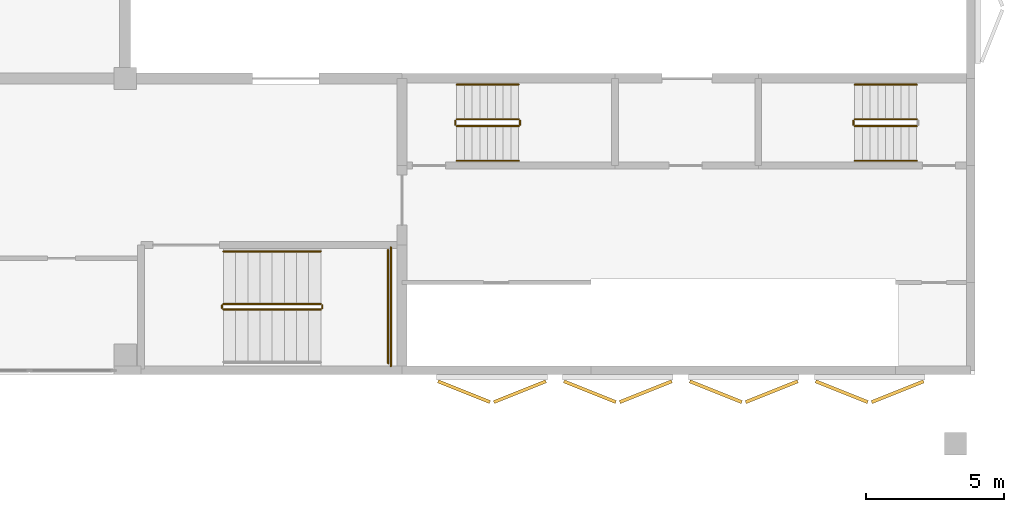
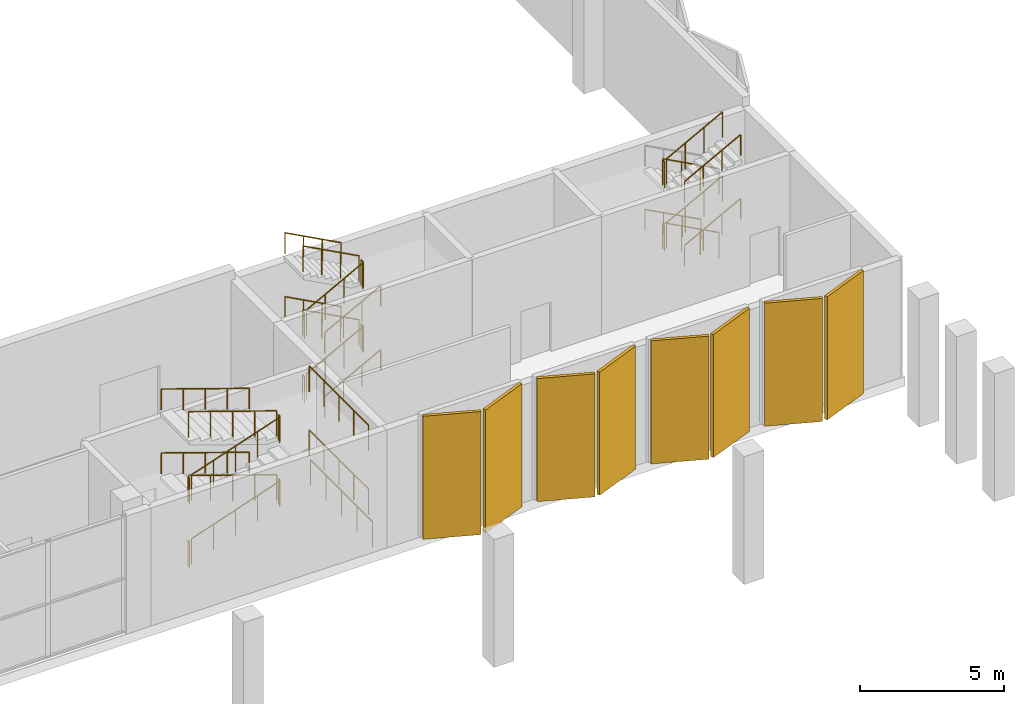
# One storey, part 30 of 35: 34 railings, 8 coverings.
"""IFC4 building model written with IfcOpenShell, lengths in metres."""

from ifc_helpers import new_model, si_unit, direction, frame, origin, origin_2d, place, context, subcontext, project, spatial, rectangle, circle, extrude, material, layer, layer_set, type_object, element, save


model = new_model("IFC4")

# Units and contexts
model_context = context("Model", 3, precision=1e-05, world=origin(), true_north=direction((0.0, 1.0)))
body_context = subcontext(model_context, "Body", "Model", "MODEL_VIEW")
ifc_project = project(units=[si_unit("LENGTHUNIT", "METRE"), si_unit("AREAUNIT", "SQUARE_METRE"), si_unit("VOLUMEUNIT", "CUBIC_METRE"), si_unit("PLANEANGLEUNIT", "RADIAN"), si_unit("MASSUNIT", "GRAM", prefix="KILO")], contexts=[model_context])

# Site, building, storey
site_placement = place(None, origin())
site = spatial("IfcSite", under=ifc_project, at=site_placement, CompositionType="ELEMENT")
building_placement = place(site_placement, origin())
building = spatial("IfcBuilding", under=site, at=building_placement, Name="Jabali Bay Hotel Tower and Convention Centre", CompositionType="ELEMENT")
storey_placement = place(building_placement, frame((0.0, 0.0, 15.0)))
storey = spatial("IfcBuildingStorey", under=building, at=storey_placement, Name="L02", CompositionType="ELEMENT", Elevation=15.0)

# Coverings
ifc_material_1 = material(Name="Precast concrete C40/50", Category="concrete")
ifc_layer = layer(ifc_material_1, 0.1201171875)
ifc_layer_set = layer_set([ifc_layer], Name="Precast concrete C40/50")
covering_type = type_object("IfcCoveringType", Name="CC Screen blade 4000 x 5200", PredefinedType="CLADDING", material=ifc_layer_set)
for number, where, z_axis, x_axis, name in (
    (1, (232.93994140625, 48.67822265625, 0.10009765625), (0.0, 0.0, 1.0), (0.928476694038, -0.371390668473, 0.0), "CC pierced screen S02.1 blade 1"),
    (2, (234.9599609375, 48.67822265625, 0.10009765625), (0.0, 0.0, 1.0), (-0.928476694038, -0.371390668473, 0.0), "CC pierced screen S02.1 blade 2"),
    (3, (237.489990234375, 48.67822265625, 0.10009765625), (0.0, 0.0, 1.0), (0.928476694038, -0.371390668473, 0.0), "CC pierced screen S02.2 blade 1"),
    (4, (239.510009765625, 48.67822265625, 0.10009765625), (0.0, 0.0, 1.0), (-0.928476694038, -0.371390668473, 0.0), "CC pierced screen S02.2 blade 2"),
    (5, (242.0400390625, 48.67822265625, 0.10009765625), (0.0, 0.0, 1.0), (0.928476694038, -0.371390668473, 0.0), "CC pierced screen S02.3 blade 1"),
    (6, (244.06005859375, 48.67822265625, 0.10009765625), (0.0, 0.0, 1.0), (-0.928476694038, -0.371390668473, 0.0), "CC pierced screen S02.3 blade 2"),
    (7, (246.590087890625, 48.67822265625, 0.10009765625), (0.0, 0.0, 1.0), (0.928476694038, -0.371390668473, 0.0), "CC pierced screen S02.4 blade 1"),
    (8, (248.610107421875, 48.67822265625, 0.10009765625), (0.0, 0.0, 1.0), (-0.928476694038, -0.371390668473, 0.0), "CC pierced screen S02.4 blade 2"),
):
    element("IfcCovering", number, at=place(storey_placement, frame(where, z_axis=z_axis, x_axis=x_axis)), inside=storey, type_object=covering_type, Name=name, PredefinedType="CLADDING", context=body_context, shape_type="SweptSolid", body=[
        extrude(rectangle(XDim=2.02490234375, YDim=0.1201171875, at=origin_2d()), origin(), (0.0, 0.0, 1.0), 5.199951171875),
    ])

# Railings
ifc_material_2 = material(Name="Stainless steel 304", Category="steel")
railing_type_1 = type_object("IfcRailingType", Name="CC Stair Guard 1100", PredefinedType="GUARDRAIL", material=ifc_material_2)
railing_1_placement = place(storey_placement, frame((249.300048828125, 58.52490234375, 0.14990234375)))
element("IfcRailing", 9, at=railing_1_placement, inside=storey, type_object=railing_type_1, Name="L02 CC-STEA stair guard 1", PredefinedType="GUARDRAIL", context=body_context, shape_type="SweptSolid", body=[
    extrude(circle(Radius=0.02392578125, at=origin_2d()), frame((0.0, 0.0, 1.076171875), z_axis=(-0.881447119201, 0.0, 0.472282728937), x_axis=(0.0, -1.0, 0.0)), (0.0, 0.0, 1.0), 2.541259765625),
    extrude(circle(Radius=0.02099609375, at=origin_2d()), origin(), (0.0, 0.0, 1.0), 1.052001953125),
    extrude(circle(Radius=0.02099609375, at=origin_2d()), frame((-0.74658203125, 0.0, 0.400146484375)), (0.0, 0.0, 1.0), 1.052001953125),
    extrude(circle(Radius=0.02099609375, at=origin_2d()), frame((-1.493408203125, 0.0, 0.800048828125)), (0.0, 0.0, 1.0), 1.052001953125),
    extrude(circle(Radius=0.02099609375, at=origin_2d()), frame((-2.239990234375, 0.0, 1.2001953125)), (0.0, 0.0, 1.0), 1.052001953125),
])
railing_2_placement = place(storey_placement, frame((247.010009765625, 58.47509765625, 1.35009765625)))
element("IfcRailing", 10, at=railing_2_placement, inside=storey, type_object=railing_type_1, Name="L02 CC-STEA stair guard 2", PredefinedType="GUARDRAIL", context=body_context, shape_type="SweptSolid", body=[
    extrude(circle(Radius=0.02392578125, at=origin_2d()), frame((0.0, 0.0, 1.076171875), z_axis=(0.0, -1.0, 0.0), x_axis=(1.0, 0.0, 0.0)), (0.0, 0.0, 1.0), 0.150146484375),
    extrude(circle(Radius=0.02099609375, at=origin_2d()), origin(), (0.0, 0.0, 1.0), 1.052001953125),
    extrude(circle(Radius=0.02099609375, at=origin_2d()), frame((0.0, -0.150146484375, 0.0)), (0.0, 0.0, 1.0), 1.052001953125),
])
railing_3_placement = place(storey_placement, frame((247.06005859375, 58.27490234375, 1.5)))
element("IfcRailing", 11, at=railing_3_placement, inside=storey, type_object=railing_type_1, Name="L02 CC-STEA stair guard 3", PredefinedType="GUARDRAIL", context=body_context, shape_type="SweptSolid", body=[
    extrude(circle(Radius=0.02392578125, at=origin_2d()), frame((0.0, 0.0, 1.076171875), z_axis=(0.881487111273, 0.0, 0.472208081951), x_axis=(0.0, 1.0, 0.0)), (0.0, 0.0, 1.0), 2.541259765625),
    extrude(circle(Radius=0.02099609375, at=origin_2d()), origin(), (0.0, 0.0, 1.0), 1.052001953125),
    extrude(circle(Radius=0.02099609375, at=origin_2d()), frame((0.74658203125, 0.0, 0.39990234375)), (0.0, 0.0, 1.0), 1.052001953125),
    extrude(circle(Radius=0.02099609375, at=origin_2d()), frame((1.493408203125, 0.0, 0.800048828125)), (0.0, 0.0, 1.0), 1.052001953125),
    extrude(circle(Radius=0.02099609375, at=origin_2d()), frame((2.239990234375, 0.0, 1.199951171875)), (0.0, 0.0, 1.0), 1.052001953125),
])
railing_4_placement = place(storey_placement, frame((249.300048828125, 58.52490234375, 2.85009765625)))
element("IfcRailing", 12, at=railing_4_placement, inside=storey, type_object=railing_type_1, Name="L02 CC-STEA stair guard 5", PredefinedType="GUARDRAIL", context=body_context, shape_type="SweptSolid", body=[
    extrude(circle(Radius=0.02392578125, at=origin_2d()), frame((0.0, 0.0, 1.076171875), z_axis=(-0.881487111273, 0.0, 0.472208081951), x_axis=(0.0, -1.0, 0.0)), (0.0, 0.0, 1.0), 2.541259765625),
    extrude(circle(Radius=0.02099609375, at=origin_2d()), origin(), (0.0, 0.0, 1.0), 1.052001953125),
    extrude(circle(Radius=0.02099609375, at=origin_2d()), frame((-0.74658203125, 0.0, 0.39990234375)), (0.0, 0.0, 1.0), 1.052001953125),
    extrude(circle(Radius=0.02099609375, at=origin_2d()), frame((-1.493408203125, 0.0, 0.800048828125)), (0.0, 0.0, 1.0), 1.052001953125),
    extrude(circle(Radius=0.02099609375, at=origin_2d()), frame((-2.239990234375, 0.0, 1.199951171875)), (0.0, 0.0, 1.0), 1.052001953125),
])
railing_5_placement = place(storey_placement, frame((247.010009765625, 58.47509765625, 4.050048828125)))
element("IfcRailing", 13, at=railing_5_placement, inside=storey, type_object=railing_type_1, Name="L02 CC-STEA stair guard 6", PredefinedType="GUARDRAIL", context=body_context, shape_type="SweptSolid", body=[
    extrude(circle(Radius=0.02392578125, at=origin_2d()), frame((0.0, 0.0, 1.076171875), z_axis=(0.0, -1.0, 0.0), x_axis=(1.0, 0.0, 0.0)), (0.0, 0.0, 1.0), 0.150146484375),
    extrude(circle(Radius=0.02099609375, at=origin_2d()), origin(), (0.0, 0.0, 1.0), 1.052001953125),
    extrude(circle(Radius=0.02099609375, at=origin_2d()), frame((0.0, -0.150146484375, 0.0)), (0.0, 0.0, 1.0), 1.052001953125),
])
railing_6_placement = place(storey_placement, frame((247.06005859375, 58.27490234375, 4.199951171875)))
element("IfcRailing", 14, at=railing_6_placement, inside=storey, type_object=railing_type_1, Name="L02 CC-STEA stair guard 7", PredefinedType="GUARDRAIL", context=body_context, shape_type="SweptSolid", body=[
    extrude(circle(Radius=0.02392578125, at=origin_2d()), frame((0.0, 0.0, 1.076171875), z_axis=(0.881487111273, 0.0, 0.472208081951), x_axis=(0.0, 1.0, 0.0)), (0.0, 0.0, 1.0), 2.541259765625),
    extrude(circle(Radius=0.02099609375, at=origin_2d()), origin(), (0.0, 0.0, 1.0), 1.052001953125),
    extrude(circle(Radius=0.02099609375, at=origin_2d()), frame((0.74658203125, 0.0, 0.39990234375)), (0.0, 0.0, 1.0), 1.052001953125),
    extrude(circle(Radius=0.02099609375, at=origin_2d()), frame((1.493408203125, 0.0, 0.800048828125)), (0.0, 0.0, 1.0), 1.052001953125),
    extrude(circle(Radius=0.02099609375, at=origin_2d()), frame((2.239990234375, 0.0, 1.199951171875)), (0.0, 0.0, 1.0), 1.052001953125),
])
railing_7_placement = place(storey_placement, frame((232.675048828125, 58.27490234375, 0.14990234375)))
element("IfcRailing", 15, at=railing_7_placement, inside=storey, type_object=railing_type_1, Name="L02 CC-STEB stair guard 1", PredefinedType="GUARDRAIL", context=body_context, shape_type="SweptSolid", body=[
    extrude(circle(Radius=0.02392578125, at=origin_2d()), frame((0.0, 0.0, 1.076171875), z_axis=(0.881447119201, 0.0, 0.472282728937), x_axis=(0.0, 1.0, 0.0)), (0.0, 0.0, 1.0), 2.541259765625),
    extrude(circle(Radius=0.02099609375, at=origin_2d()), origin(), (0.0, 0.0, 1.0), 1.052001953125),
    extrude(circle(Radius=0.02099609375, at=origin_2d()), frame((0.74658203125, 0.0, 0.400146484375)), (0.0, 0.0, 1.0), 1.052001953125),
    extrude(circle(Radius=0.02099609375, at=origin_2d()), frame((1.493408203125, 0.0, 0.800048828125)), (0.0, 0.0, 1.0), 1.052001953125),
    extrude(circle(Radius=0.02099609375, at=origin_2d()), frame((2.239990234375, 0.0, 1.2001953125)), (0.0, 0.0, 1.0), 1.052001953125),
])
railing_8_placement = place(storey_placement, frame((234.965087890625, 58.324951171875, 1.35009765625)))
element("IfcRailing", 16, at=railing_8_placement, inside=storey, type_object=railing_type_1, Name="L02 CC-STEB stair guard 2", PredefinedType="GUARDRAIL", context=body_context, shape_type="SweptSolid", body=[
    extrude(circle(Radius=0.02392578125, at=origin_2d()), frame((0.0, 0.0, 1.076171875), z_axis=(0.0, 1.0, 0.0), x_axis=(-1.0, 0.0, 0.0)), (0.0, 0.0, 1.0), 0.150146484375),
    extrude(circle(Radius=0.02099609375, at=origin_2d()), origin(), (0.0, 0.0, 1.0), 1.052001953125),
    extrude(circle(Radius=0.02099609375, at=origin_2d()), frame((0.0, 0.150146484375, 0.0)), (0.0, 0.0, 1.0), 1.052001953125),
])
railing_9_placement = place(storey_placement, frame((234.9150390625, 58.52490234375, 1.5)))
element("IfcRailing", 17, at=railing_9_placement, inside=storey, type_object=railing_type_1, Name="L02 CC-STEB stair guard 3", PredefinedType="GUARDRAIL", context=body_context, shape_type="SweptSolid", body=[
    extrude(circle(Radius=0.02392578125, at=origin_2d()), frame((0.0, 0.0, 1.076171875), z_axis=(-0.881487111273, 0.0, 0.472208081951), x_axis=(0.0, -1.0, 0.0)), (0.0, 0.0, 1.0), 2.541259765625),
    extrude(circle(Radius=0.02099609375, at=origin_2d()), origin(), (0.0, 0.0, 1.0), 1.052001953125),
    extrude(circle(Radius=0.02099609375, at=origin_2d()), frame((-0.74658203125, 0.0, 0.39990234375)), (0.0, 0.0, 1.0), 1.052001953125),
    extrude(circle(Radius=0.02099609375, at=origin_2d()), frame((-1.493408203125, 0.0, 0.800048828125)), (0.0, 0.0, 1.0), 1.052001953125),
    extrude(circle(Radius=0.02099609375, at=origin_2d()), frame((-2.239990234375, 0.0, 1.199951171875)), (0.0, 0.0, 1.0), 1.052001953125),
])
railing_10_placement = place(storey_placement, frame((232.625, 58.324951171875, 2.699951171875)))
element("IfcRailing", 18, at=railing_10_placement, inside=storey, type_object=railing_type_1, Name="L02 CC-STEB stair guard 4", PredefinedType="GUARDRAIL", context=body_context, shape_type="SweptSolid", body=[
    extrude(circle(Radius=0.02392578125, at=origin_2d()), frame((0.0, 0.0, 1.076171875), z_axis=(0.0, 1.0, 0.0), x_axis=(-1.0, 0.0, 0.0)), (0.0, 0.0, 1.0), 0.150146484375),
    extrude(circle(Radius=0.02099609375, at=origin_2d()), origin(), (0.0, 0.0, 1.0), 1.052001953125),
    extrude(circle(Radius=0.02099609375, at=origin_2d()), frame((0.0, 0.150146484375, 0.0)), (0.0, 0.0, 1.0), 1.052001953125),
])
railing_11_placement = place(storey_placement, frame((232.675048828125, 58.27490234375, 2.85009765625)))
element("IfcRailing", 19, at=railing_11_placement, inside=storey, type_object=railing_type_1, Name="L02 CC-STEB stair guard 5", PredefinedType="GUARDRAIL", context=body_context, shape_type="SweptSolid", body=[
    extrude(circle(Radius=0.02392578125, at=origin_2d()), frame((0.0, 0.0, 1.076171875), z_axis=(0.881487111273, 0.0, 0.472208081951), x_axis=(0.0, 1.0, 0.0)), (0.0, 0.0, 1.0), 2.541259765625),
    extrude(circle(Radius=0.02099609375, at=origin_2d()), origin(), (0.0, 0.0, 1.0), 1.052001953125),
    extrude(circle(Radius=0.02099609375, at=origin_2d()), frame((0.74658203125, 0.0, 0.39990234375)), (0.0, 0.0, 1.0), 1.052001953125),
    extrude(circle(Radius=0.02099609375, at=origin_2d()), frame((1.493408203125, 0.0, 0.800048828125)), (0.0, 0.0, 1.0), 1.052001953125),
    extrude(circle(Radius=0.02099609375, at=origin_2d()), frame((2.239990234375, 0.0, 1.199951171875)), (0.0, 0.0, 1.0), 1.052001953125),
])
railing_12_placement = place(storey_placement, frame((234.965087890625, 58.324951171875, 4.050048828125)))
element("IfcRailing", 20, at=railing_12_placement, inside=storey, type_object=railing_type_1, Name="L02 CC-STEB stair guard 6", PredefinedType="GUARDRAIL", context=body_context, shape_type="SweptSolid", body=[
    extrude(circle(Radius=0.02392578125, at=origin_2d()), frame((0.0, 0.0, 1.076171875), z_axis=(0.0, 1.0, 0.0), x_axis=(-1.0, 0.0, 0.0)), (0.0, 0.0, 1.0), 0.150146484375),
    extrude(circle(Radius=0.02099609375, at=origin_2d()), origin(), (0.0, 0.0, 1.0), 1.052001953125),
    extrude(circle(Radius=0.02099609375, at=origin_2d()), frame((0.0, 0.150146484375, 0.0)), (0.0, 0.0, 1.0), 1.052001953125),
])
railing_13_placement = place(storey_placement, frame((234.9150390625, 58.52490234375, 4.199951171875)))
element("IfcRailing", 21, at=railing_13_placement, inside=storey, type_object=railing_type_1, Name="L02 CC-STEB stair guard 7", PredefinedType="GUARDRAIL", context=body_context, shape_type="SweptSolid", body=[
    extrude(circle(Radius=0.02392578125, at=origin_2d()), frame((0.0, 0.0, 1.076171875), z_axis=(-0.881487111273, 0.0, 0.472208081951), x_axis=(0.0, -1.0, 0.0)), (0.0, 0.0, 1.0), 2.541259765625),
    extrude(circle(Radius=0.02099609375, at=origin_2d()), origin(), (0.0, 0.0, 1.0), 1.052001953125),
    extrude(circle(Radius=0.02099609375, at=origin_2d()), frame((-0.74658203125, 0.0, 0.39990234375)), (0.0, 0.0, 1.0), 1.052001953125),
    extrude(circle(Radius=0.02099609375, at=origin_2d()), frame((-1.493408203125, 0.0, 0.800048828125)), (0.0, 0.0, 1.0), 1.052001953125),
    extrude(circle(Radius=0.02099609375, at=origin_2d()), frame((-2.239990234375, 0.0, 1.199951171875)), (0.0, 0.0, 1.0), 1.052001953125),
])
railing_14_placement = place(storey_placement, frame((232.625, 58.324951171875, 0.0)))
element("IfcRailing", 22, at=railing_14_placement, inside=storey, type_object=railing_type_1, Name="L02 CC-STEB stair guard 8", PredefinedType="GUARDRAIL", context=body_context, shape_type="SweptSolid", body=[
    extrude(circle(Radius=0.02392578125, at=origin_2d()), frame((0.0, 0.0, 1.076171875), z_axis=(0.0, 1.0, 0.0), x_axis=(-1.0, 0.0, 0.0)), (0.0, 0.0, 1.0), 0.150146484375),
    extrude(circle(Radius=0.02099609375, at=origin_2d()), origin(), (0.0, 0.0, 1.0), 1.052001953125),
    extrude(circle(Radius=0.02099609375, at=origin_2d()), frame((0.0, 0.150146484375, 0.0)), (0.0, 0.0, 1.0), 1.052001953125),
])
railing_15_placement = place(storey_placement, frame((224.25, 51.64990234375, 0.14990234375)))
element("IfcRailing", 23, at=railing_15_placement, inside=storey, type_object=railing_type_1, Name="L02 CC-STS3 stair guard 1", PredefinedType="GUARDRAIL", context=body_context, shape_type="SweptSolid", body=[
    extrude(circle(Radius=0.02392578125, at=origin_2d()), frame((0.0, 0.0, 1.076171875), z_axis=(0.946494694335, 0.0, 0.322719372822), x_axis=(0.0, 1.0, 0.0)), (0.0, 0.0, 1.0), 3.718994140625),
    extrude(circle(Radius=0.02099609375, at=origin_2d()), origin(), (0.0, 0.0, 1.0), 1.052001953125),
    extrude(circle(Radius=0.02099609375, at=origin_2d()), frame((0.8798828125, 0.0, 0.300048828125)), (0.0, 0.0, 1.0), 1.052001953125),
    extrude(circle(Radius=0.02099609375, at=origin_2d()), frame((1.760009765625, 0.0, 0.60009765625)), (0.0, 0.0, 1.0), 1.052001953125),
    extrude(circle(Radius=0.02099609375, at=origin_2d()), frame((2.64013671875, 0.0, 0.900146484375)), (0.0, 0.0, 1.0), 1.052001953125),
    extrude(circle(Radius=0.02099609375, at=origin_2d()), frame((3.52001953125, 0.0, 1.2001953125)), (0.0, 0.0, 1.0), 1.052001953125),
])
railing_16_placement = place(storey_placement, frame((227.820068359375, 51.699951171875, 1.35009765625)))
element("IfcRailing", 24, at=railing_16_placement, inside=storey, type_object=railing_type_1, Name="L02 CC-STS3 stair guard 2", PredefinedType="GUARDRAIL", context=body_context, shape_type="SweptSolid", body=[
    extrude(circle(Radius=0.02392578125, at=origin_2d()), frame((0.0, 0.0, 1.076171875), z_axis=(0.0, 1.0, 0.0), x_axis=(-1.0, 0.0, 0.0)), (0.0, 0.0, 1.0), 0.10009765625),
    extrude(circle(Radius=0.02099609375, at=origin_2d()), origin(), (0.0, 0.0, 1.0), 1.052001953125),
    extrude(circle(Radius=0.02099609375, at=origin_2d()), frame((0.0, 0.10009765625, 0.0)), (0.0, 0.0, 1.0), 1.052001953125),
])
railing_17_placement = place(storey_placement, frame((230.199951171875, 49.699951171875, 1.35009765625)))
element("IfcRailing", 25, at=railing_17_placement, inside=storey, type_object=railing_type_1, Name="L02 CC-STS3 stair guard 3", PredefinedType="GUARDRAIL", context=body_context, shape_type="SweptSolid", body=[
    extrude(circle(Radius=0.02392578125, at=origin_2d()), frame((0.0, 0.0, 1.076171875), z_axis=(0.0, 1.0, 0.0), x_axis=(-1.0, 0.0, 0.0)), (0.0, 0.0, 1.0), 4.10009765625),
    extrude(circle(Radius=0.02099609375, at=origin_2d()), origin(), (0.0, 0.0, 1.0), 1.052001953125),
    extrude(circle(Radius=0.02099609375, at=origin_2d()), frame((0.0, 1.02490234375, 0.0)), (0.0, 0.0, 1.0), 1.052001953125),
    extrude(circle(Radius=0.02099609375, at=origin_2d()), frame((0.0, 2.050048828125, 0.0)), (0.0, 0.0, 1.0), 1.052001953125),
    extrude(circle(Radius=0.02099609375, at=origin_2d()), frame((0.0, 3.0751953125, 0.0)), (0.0, 0.0, 1.0), 1.052001953125),
    extrude(circle(Radius=0.02099609375, at=origin_2d()), frame((0.0, 4.10009765625, 0.0)), (0.0, 0.0, 1.0), 1.052001953125),
])
railing_18_placement = place(storey_placement, frame((227.77001953125, 51.85009765625, 1.5)))
element("IfcRailing", 26, at=railing_18_placement, inside=storey, type_object=railing_type_1, Name="L02 CC-STS3 stair guard 4", PredefinedType="GUARDRAIL", context=body_context, shape_type="SweptSolid", body=[
    extrude(circle(Radius=0.02392578125, at=origin_2d()), frame((0.0, 0.0, 1.076171875), z_axis=(-0.946514744872, 0.0, 0.322660561177), x_axis=(0.0, -1.0, 0.0)), (0.0, 0.0, 1.0), 3.718994140625),
    extrude(circle(Radius=0.02099609375, at=origin_2d()), origin(), (0.0, 0.0, 1.0), 1.052001953125),
    extrude(circle(Radius=0.02099609375, at=origin_2d()), frame((-0.8798828125, 0.0, 0.300048828125)), (0.0, 0.0, 1.0), 1.052001953125),
    extrude(circle(Radius=0.02099609375, at=origin_2d()), frame((-1.760009765625, 0.0, 0.60009765625)), (0.0, 0.0, 1.0), 1.052001953125),
    extrude(circle(Radius=0.02099609375, at=origin_2d()), frame((-2.64013671875, 0.0, 0.89990234375)), (0.0, 0.0, 1.0), 1.052001953125),
    extrude(circle(Radius=0.02099609375, at=origin_2d()), frame((-3.52001953125, 0.0, 1.199951171875)), (0.0, 0.0, 1.0), 1.052001953125),
])
railing_19_placement = place(storey_placement, frame((224.199951171875, 51.699951171875, 2.699951171875)))
element("IfcRailing", 27, at=railing_19_placement, inside=storey, type_object=railing_type_1, Name="L02 CC-STS3 stair guard 5", PredefinedType="GUARDRAIL", context=body_context, shape_type="SweptSolid", body=[
    extrude(circle(Radius=0.02392578125, at=origin_2d()), frame((0.0, 0.0, 1.076171875), z_axis=(0.0, 1.0, 0.0), x_axis=(-1.0, 0.0, 0.0)), (0.0, 0.0, 1.0), 0.10009765625),
    extrude(circle(Radius=0.02099609375, at=origin_2d()), origin(), (0.0, 0.0, 1.0), 1.052001953125),
    extrude(circle(Radius=0.02099609375, at=origin_2d()), frame((0.0, 0.10009765625, 0.0)), (0.0, 0.0, 1.0), 1.052001953125),
])
railing_20_placement = place(storey_placement, frame((224.25, 51.64990234375, 2.85009765625)))
element("IfcRailing", 28, at=railing_20_placement, inside=storey, type_object=railing_type_1, Name="L02 CC-STS3 stair guard 6", PredefinedType="GUARDRAIL", context=body_context, shape_type="SweptSolid", body=[
    extrude(circle(Radius=0.02392578125, at=origin_2d()), frame((0.0, 0.0, 1.076171875), z_axis=(0.946514744872, 0.0, 0.322660561177), x_axis=(0.0, 1.0, 0.0)), (0.0, 0.0, 1.0), 3.718994140625),
    extrude(circle(Radius=0.02099609375, at=origin_2d()), origin(), (0.0, 0.0, 1.0), 1.052001953125),
    extrude(circle(Radius=0.02099609375, at=origin_2d()), frame((0.8798828125, 0.0, 0.300048828125)), (0.0, 0.0, 1.0), 1.052001953125),
    extrude(circle(Radius=0.02099609375, at=origin_2d()), frame((1.760009765625, 0.0, 0.60009765625)), (0.0, 0.0, 1.0), 1.052001953125),
    extrude(circle(Radius=0.02099609375, at=origin_2d()), frame((2.64013671875, 0.0, 0.89990234375)), (0.0, 0.0, 1.0), 1.052001953125),
    extrude(circle(Radius=0.02099609375, at=origin_2d()), frame((3.52001953125, 0.0, 1.199951171875)), (0.0, 0.0, 1.0), 1.052001953125),
])
railing_21_placement = place(storey_placement, frame((227.820068359375, 51.699951171875, 4.050048828125)))
element("IfcRailing", 29, at=railing_21_placement, inside=storey, type_object=railing_type_1, Name="L02 CC-STS3 stair guard 7", PredefinedType="GUARDRAIL", context=body_context, shape_type="SweptSolid", body=[
    extrude(circle(Radius=0.02392578125, at=origin_2d()), frame((0.0, 0.0, 1.076171875), z_axis=(0.0, 1.0, 0.0), x_axis=(-1.0, 0.0, 0.0)), (0.0, 0.0, 1.0), 0.10009765625),
    extrude(circle(Radius=0.02099609375, at=origin_2d()), origin(), (0.0, 0.0, 1.0), 1.052001953125),
    extrude(circle(Radius=0.02099609375, at=origin_2d()), frame((0.0, 0.10009765625, 0.0)), (0.0, 0.0, 1.0), 1.052001953125),
])
railing_22_placement = place(storey_placement, frame((230.199951171875, 49.699951171875, 4.050048828125)))
element("IfcRailing", 30, at=railing_22_placement, inside=storey, type_object=railing_type_1, Name="L02 CC-STS3 stair guard 8", PredefinedType="GUARDRAIL", context=body_context, shape_type="SweptSolid", body=[
    extrude(circle(Radius=0.02392578125, at=origin_2d()), frame((0.0, 0.0, 1.076171875), z_axis=(0.0, 1.0, 0.0), x_axis=(-1.0, 0.0, 0.0)), (0.0, 0.0, 1.0), 4.10009765625),
    extrude(circle(Radius=0.02099609375, at=origin_2d()), origin(), (0.0, 0.0, 1.0), 1.052001953125),
    extrude(circle(Radius=0.02099609375, at=origin_2d()), frame((0.0, 1.02490234375, 0.0)), (0.0, 0.0, 1.0), 1.052001953125),
    extrude(circle(Radius=0.02099609375, at=origin_2d()), frame((0.0, 2.050048828125, 0.0)), (0.0, 0.0, 1.0), 1.052001953125),
    extrude(circle(Radius=0.02099609375, at=origin_2d()), frame((0.0, 3.0751953125, 0.0)), (0.0, 0.0, 1.0), 1.052001953125),
    extrude(circle(Radius=0.02099609375, at=origin_2d()), frame((0.0, 4.10009765625, 0.0)), (0.0, 0.0, 1.0), 1.052001953125),
])
railing_23_placement = place(storey_placement, frame((227.77001953125, 51.85009765625, 4.199951171875)))
element("IfcRailing", 31, at=railing_23_placement, inside=storey, type_object=railing_type_1, Name="L02 CC-STS3 stair guard 9", PredefinedType="GUARDRAIL", context=body_context, shape_type="SweptSolid", body=[
    extrude(circle(Radius=0.02392578125, at=origin_2d()), frame((0.0, 0.0, 1.076171875), z_axis=(-0.946514744872, 0.0, 0.322660561177), x_axis=(0.0, -1.0, 0.0)), (0.0, 0.0, 1.0), 3.718994140625),
    extrude(circle(Radius=0.02099609375, at=origin_2d()), origin(), (0.0, 0.0, 1.0), 1.052001953125),
    extrude(circle(Radius=0.02099609375, at=origin_2d()), frame((-0.8798828125, 0.0, 0.300048828125)), (0.0, 0.0, 1.0), 1.052001953125),
    extrude(circle(Radius=0.02099609375, at=origin_2d()), frame((-1.760009765625, 0.0, 0.60009765625)), (0.0, 0.0, 1.0), 1.052001953125),
    extrude(circle(Radius=0.02099609375, at=origin_2d()), frame((-2.64013671875, 0.0, 0.89990234375)), (0.0, 0.0, 1.0), 1.052001953125),
    extrude(circle(Radius=0.02099609375, at=origin_2d()), frame((-3.52001953125, 0.0, 1.199951171875)), (0.0, 0.0, 1.0), 1.052001953125),
])
railing_24_placement = place(storey_placement, frame((224.199951171875, 51.699951171875, 0.0)))
element("IfcRailing", 32, at=railing_24_placement, inside=storey, type_object=railing_type_1, Name="L02 CC-STS3 stair guard 10", PredefinedType="GUARDRAIL", context=body_context, shape_type="SweptSolid", body=[
    extrude(circle(Radius=0.02392578125, at=origin_2d()), frame((0.0, 0.0, 1.076171875), z_axis=(0.0, 1.0, 0.0), x_axis=(-1.0, 0.0, 0.0)), (0.0, 0.0, 1.0), 0.10009765625),
    extrude(circle(Radius=0.02099609375, at=origin_2d()), origin(), (0.0, 0.0, 1.0), 1.052001953125),
    extrude(circle(Radius=0.02099609375, at=origin_2d()), frame((0.0, 0.10009765625, 0.0)), (0.0, 0.0, 1.0), 1.052001953125),
])
railing_25_placement = place(storey_placement, frame((230.300048828125, 49.60009765625, 0.0)))
element("IfcRailing", 33, at=railing_25_placement, inside=storey, type_object=railing_type_1, Name="L02 CC-STS3 stair guard 11", PredefinedType="GUARDRAIL", context=body_context, shape_type="SweptSolid", body=[
    extrude(circle(Radius=0.02392578125, at=origin_2d()), frame((0.0, 0.0, 1.076171875), z_axis=(0.0, 1.0, 0.0), x_axis=(-1.0, 0.0, 0.0)), (0.0, 0.0, 1.0), 4.2998046875),
    extrude(circle(Radius=0.02099609375, at=origin_2d()), origin(), (0.0, 0.0, 1.0), 1.052001953125),
    extrude(circle(Radius=0.02099609375, at=origin_2d()), frame((0.0, 1.074951171875, 0.0)), (0.0, 0.0, 1.0), 1.052001953125),
    extrude(circle(Radius=0.02099609375, at=origin_2d()), frame((0.0, 2.14990234375, 0.0)), (0.0, 0.0, 1.0), 1.052001953125),
    extrude(circle(Radius=0.02099609375, at=origin_2d()), frame((0.0, 3.224853515625, 0.0)), (0.0, 0.0, 1.0), 1.052001953125),
    extrude(circle(Radius=0.02099609375, at=origin_2d()), frame((0.0, 4.2998046875, 0.0)), (0.0, 0.0, 1.0), 1.052001953125),
])
railing_type_2 = type_object("IfcRailingType", Name="CC Stair Handrail 900", PredefinedType="HANDRAIL", material=ifc_material_2)
railing_26_placement = place(storey_placement, frame((249.300048828125, 59.77490234375, 0.14990234375)))
element("IfcRailing", 34, at=railing_26_placement, inside=storey, type_object=railing_type_2, Name="L02 CC-STEA stair handrail 1", PredefinedType="HANDRAIL", context=body_context, shape_type="SweptSolid", body=[
    extrude(circle(Radius=0.02392578125, at=origin_2d()), frame((0.0, 0.0, 0.8759765625), z_axis=(-0.881447119201, 0.0, 0.472282728937), x_axis=(0.0, -1.0, 0.0)), (0.0, 0.0, 1.0), 2.541259765625),
    extrude(circle(Radius=0.02099609375, at=origin_2d()), origin(), (0.0, 0.0, 1.0), 0.851806640625),
    extrude(circle(Radius=0.02099609375, at=origin_2d()), frame((-0.74658203125, 0.0, 0.400146484375)), (0.0, 0.0, 1.0), 0.851806640625),
    extrude(circle(Radius=0.02099609375, at=origin_2d()), frame((-1.493408203125, 0.0, 0.800048828125)), (0.0, 0.0, 1.0), 0.851806640625),
    extrude(circle(Radius=0.02099609375, at=origin_2d()), frame((-2.239990234375, 0.0, 1.2001953125)), (0.0, 0.0, 1.0), 0.851806640625),
])
for number, where, name in (
    (35, (247.06005859375, 57.02490234375, 1.5), "L02 CC-STEA stair handrail 2"),
    (36, (247.06005859375, 57.02490234375, 4.199951171875), "L02 CC-STEA stair handrail 4"),
):
    element("IfcRailing", number, at=place(storey_placement, frame(where)), inside=storey, type_object=railing_type_2, Name=name, PredefinedType="HANDRAIL", context=body_context, shape_type="SweptSolid", body=[
        extrude(circle(Radius=0.02392578125, at=origin_2d()), frame((0.0, 0.0, 0.8759765625), z_axis=(0.881487111273, 0.0, 0.472208081951), x_axis=(0.0, 1.0, 0.0)), (0.0, 0.0, 1.0), 2.541259765625),
        extrude(circle(Radius=0.02099609375, at=origin_2d()), origin(), (0.0, 0.0, 1.0), 0.851806640625),
        extrude(circle(Radius=0.02099609375, at=origin_2d()), frame((0.74658203125, 0.0, 0.39990234375)), (0.0, 0.0, 1.0), 0.851806640625),
        extrude(circle(Radius=0.02099609375, at=origin_2d()), frame((1.493408203125, 0.0, 0.800048828125)), (0.0, 0.0, 1.0), 0.851806640625),
        extrude(circle(Radius=0.02099609375, at=origin_2d()), frame((2.239990234375, 0.0, 1.199951171875)), (0.0, 0.0, 1.0), 0.851806640625),
    ])
railing_27_placement = place(storey_placement, frame((232.675048828125, 57.02490234375, 0.14990234375)))
element("IfcRailing", 37, at=railing_27_placement, inside=storey, type_object=railing_type_2, Name="L02 CC-STEB stair handrail 1", PredefinedType="HANDRAIL", context=body_context, shape_type="SweptSolid", body=[
    extrude(circle(Radius=0.02392578125, at=origin_2d()), frame((0.0, 0.0, 0.8759765625), z_axis=(0.881447119201, 0.0, 0.472282728937), x_axis=(0.0, 1.0, 0.0)), (0.0, 0.0, 1.0), 2.541259765625),
    extrude(circle(Radius=0.02099609375, at=origin_2d()), origin(), (0.0, 0.0, 1.0), 0.851806640625),
    extrude(circle(Radius=0.02099609375, at=origin_2d()), frame((0.74658203125, 0.0, 0.400146484375)), (0.0, 0.0, 1.0), 0.851806640625),
    extrude(circle(Radius=0.02099609375, at=origin_2d()), frame((1.493408203125, 0.0, 0.800048828125)), (0.0, 0.0, 1.0), 0.851806640625),
    extrude(circle(Radius=0.02099609375, at=origin_2d()), frame((2.239990234375, 0.0, 1.2001953125)), (0.0, 0.0, 1.0), 0.851806640625),
])
railing_28_placement = place(storey_placement, frame((234.9150390625, 59.77490234375, 1.5)))
element("IfcRailing", 38, at=railing_28_placement, inside=storey, type_object=railing_type_2, Name="L02 CC-STEB stair handrail 2", PredefinedType="HANDRAIL", context=body_context, shape_type="SweptSolid", body=[
    extrude(circle(Radius=0.02392578125, at=origin_2d()), frame((0.0, 0.0, 0.8759765625), z_axis=(-0.881487111273, 0.0, 0.472208081951), x_axis=(0.0, -1.0, 0.0)), (0.0, 0.0, 1.0), 2.541259765625),
    extrude(circle(Radius=0.02099609375, at=origin_2d()), origin(), (0.0, 0.0, 1.0), 0.851806640625),
    extrude(circle(Radius=0.02099609375, at=origin_2d()), frame((-0.74658203125, 0.0, 0.39990234375)), (0.0, 0.0, 1.0), 0.851806640625),
    extrude(circle(Radius=0.02099609375, at=origin_2d()), frame((-1.493408203125, 0.0, 0.800048828125)), (0.0, 0.0, 1.0), 0.851806640625),
    extrude(circle(Radius=0.02099609375, at=origin_2d()), frame((-2.239990234375, 0.0, 1.199951171875)), (0.0, 0.0, 1.0), 0.851806640625),
])
railing_29_placement = place(storey_placement, frame((232.675048828125, 57.02490234375, 2.85009765625)))
element("IfcRailing", 39, at=railing_29_placement, inside=storey, type_object=railing_type_2, Name="L02 CC-STEB stair handrail 3", PredefinedType="HANDRAIL", context=body_context, shape_type="SweptSolid", body=[
    extrude(circle(Radius=0.02392578125, at=origin_2d()), frame((0.0, 0.0, 0.8759765625), z_axis=(0.881487111273, 0.0, 0.472208081951), x_axis=(0.0, 1.0, 0.0)), (0.0, 0.0, 1.0), 2.541259765625),
    extrude(circle(Radius=0.02099609375, at=origin_2d()), origin(), (0.0, 0.0, 1.0), 0.851806640625),
    extrude(circle(Radius=0.02099609375, at=origin_2d()), frame((0.74658203125, 0.0, 0.39990234375)), (0.0, 0.0, 1.0), 0.851806640625),
    extrude(circle(Radius=0.02099609375, at=origin_2d()), frame((1.493408203125, 0.0, 0.800048828125)), (0.0, 0.0, 1.0), 0.851806640625),
    extrude(circle(Radius=0.02099609375, at=origin_2d()), frame((2.239990234375, 0.0, 1.199951171875)), (0.0, 0.0, 1.0), 0.851806640625),
])
railing_30_placement = place(storey_placement, frame((234.9150390625, 59.77490234375, 4.199951171875)))
element("IfcRailing", 40, at=railing_30_placement, inside=storey, type_object=railing_type_2, Name="L02 CC-STEB stair handrail 4", PredefinedType="HANDRAIL", context=body_context, shape_type="SweptSolid", body=[
    extrude(circle(Radius=0.02392578125, at=origin_2d()), frame((0.0, 0.0, 0.8759765625), z_axis=(-0.881487111273, 0.0, 0.472208081951), x_axis=(0.0, -1.0, 0.0)), (0.0, 0.0, 1.0), 2.541259765625),
    extrude(circle(Radius=0.02099609375, at=origin_2d()), origin(), (0.0, 0.0, 1.0), 0.851806640625),
    extrude(circle(Radius=0.02099609375, at=origin_2d()), frame((-0.74658203125, 0.0, 0.39990234375)), (0.0, 0.0, 1.0), 0.851806640625),
    extrude(circle(Radius=0.02099609375, at=origin_2d()), frame((-1.493408203125, 0.0, 0.800048828125)), (0.0, 0.0, 1.0), 0.851806640625),
    extrude(circle(Radius=0.02099609375, at=origin_2d()), frame((-2.239990234375, 0.0, 1.199951171875)), (0.0, 0.0, 1.0), 0.851806640625),
])
for number, where, name in (
    (41, (227.77001953125, 53.75, 1.5), "L02 CC-STS3 stair handrail 2"),
    (42, (227.77001953125, 53.75, 4.199951171875), "L02 CC-STS3 stair handrail 4"),
):
    element("IfcRailing", number, at=place(storey_placement, frame(where)), inside=storey, type_object=railing_type_2, Name=name, PredefinedType="HANDRAIL", context=body_context, shape_type="SweptSolid", body=[
        extrude(circle(Radius=0.02392578125, at=origin_2d()), frame((0.0, 0.0, 0.8759765625), z_axis=(-0.946514744872, 0.0, 0.322660561177), x_axis=(0.0, -1.0, 0.0)), (0.0, 0.0, 1.0), 3.718994140625),
        extrude(circle(Radius=0.02099609375, at=origin_2d()), origin(), (0.0, 0.0, 1.0), 0.851806640625),
        extrude(circle(Radius=0.02099609375, at=origin_2d()), frame((-0.8798828125, 0.0, 0.300048828125)), (0.0, 0.0, 1.0), 0.851806640625),
        extrude(circle(Radius=0.02099609375, at=origin_2d()), frame((-1.760009765625, 0.0, 0.60009765625)), (0.0, 0.0, 1.0), 0.851806640625),
        extrude(circle(Radius=0.02099609375, at=origin_2d()), frame((-2.64013671875, 0.0, 0.89990234375)), (0.0, 0.0, 1.0), 0.851806640625),
        extrude(circle(Radius=0.02099609375, at=origin_2d()), frame((-3.52001953125, 0.0, 1.199951171875)), (0.0, 0.0, 1.0), 0.851806640625),
    ])

save(model, "model.ifc")
